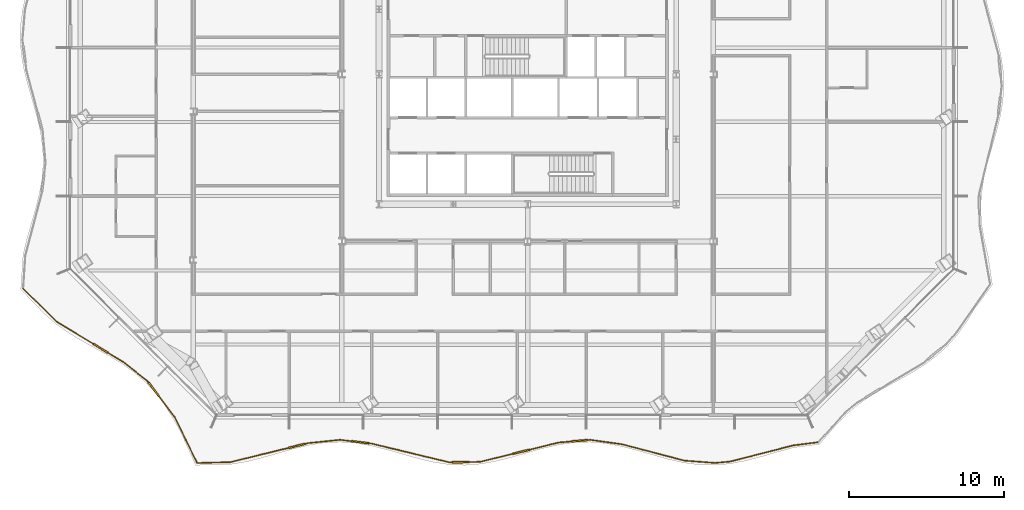
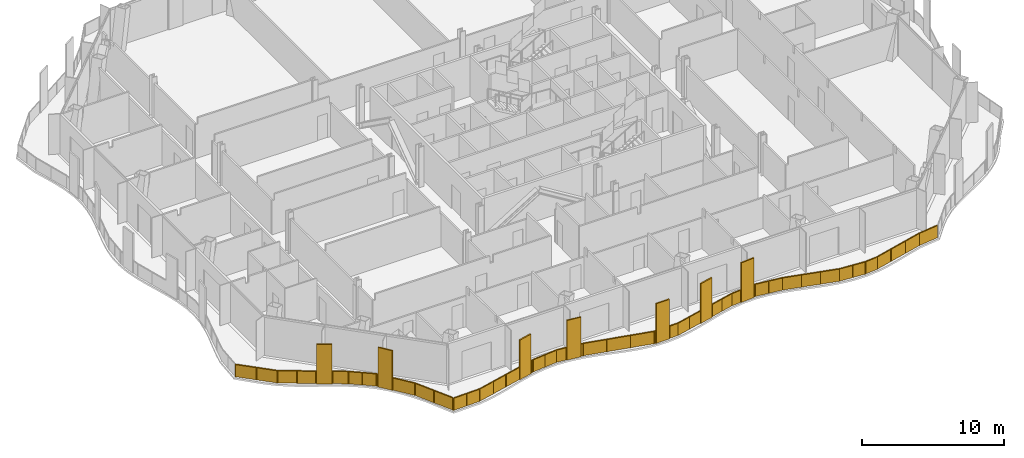
# One storey, part 14 of 21: 2 railings.
"""IFC4 building model written with IfcOpenShell, lengths in metres."""

from ifc_helpers import new_model, si_unit, direction, frame, origin, origin_2d, place, context, subcontext, project, spatial, polyline, rectangle, outline, extrude, material, type_object, element, save


model = new_model("IFC4")

# Units and contexts
model_context = context("Model", 3, precision=1e-05, world=origin(), true_north=direction((0.0, 1.0)))
body_context = subcontext(model_context, "Body", "Model", "MODEL_VIEW")
ifc_project = project(units=[si_unit("LENGTHUNIT", "METRE"), si_unit("AREAUNIT", "SQUARE_METRE"), si_unit("VOLUMEUNIT", "CUBIC_METRE"), si_unit("PLANEANGLEUNIT", "RADIAN"), si_unit("MASSUNIT", "GRAM", prefix="KILO")], contexts=[model_context])

# Site, building, storey
site_placement = place(None, origin())
site = spatial("IfcSite", under=ifc_project, at=site_placement, CompositionType="ELEMENT")
building_placement = place(site_placement, origin())
building = spatial("IfcBuilding", under=site, at=building_placement, Name="Cairn Pilgrim Tower", CompositionType="ELEMENT")
storey_placement = place(building_placement, frame((0.0, 0.0, 108.60009765625)))
storey = spatial("IfcBuildingStorey", under=building, at=storey_placement, Name="L26", CompositionType="ELEMENT", Elevation=108.60009765625)

# Railings
ifc_material = material(Name="Bronze anodised aluminium rail, posts and fin screens with laminated glass infill", Category="aluminium")
railing_type = type_object("IfcRailingType", Name="BALCONY GUARD WITH FIN SCREENS", PredefinedType="GUARDRAIL", material=ifc_material)
railing_1_placement = place(storey_placement, frame((-14.158447265625, -22.7197265625, 0.0)))
element("IfcRailing", 1, at=railing_1_placement, inside=storey, type_object=railing_type, Name="Balcony guard BGF-1 with fin screens", PredefinedType="GUARDRAIL", context=body_context, shape_type="SweptSolid", body=[
    extrude(rectangle(XDim=0.050048828125, YDim=0.050048828125, at=origin_2d()), frame((0.0, 0.0, 1.0751953125), z_axis=(0.99966797601, 0.025766989345, 0.0), x_axis=(-0.025766989345, 0.99966797601, 0.0)), (0.0, 0.0, 1.0), 2.141357421875),
    extrude(rectangle(XDim=1.10009765625, YDim=0.110107421875, at=origin_2d()), frame((6.436767578125, 1.10546875, 0.0), z_axis=(0.0, 0.0, 1.0), x_axis=(0.971392503069, 0.237479693828, 0.0)), (0.0, 0.0, 1.0), 3.39990234375),
    extrude(rectangle(XDim=0.050048828125, YDim=0.050048828125, at=origin_2d()), frame((2.140625, 0.05517578125, 1.0751953125), z_axis=(0.971392503069, 0.237479693828, 0.0), x_axis=(-0.237479693828, 0.971392503069, 0.0)), (0.0, 0.0, 1.0), 3.872802734375),
    extrude(rectangle(XDim=0.050048828125, YDim=0.050048828125, at=origin_2d()), frame((6.97119140625, 1.236083984375, 1.0751953125), z_axis=(0.971392503069, 0.237479693828, 0.0), x_axis=(-0.237479693828, 0.971392503069, 0.0)), (0.0, 0.0, 1.0), 0.222900390625),
    extrude(rectangle(XDim=0.050048828125, YDim=0.050048828125, at=origin_2d()), frame((7.187744140625, 1.2890625, 1.0751953125), z_axis=(0.994833164728, 0.101523270029, 0.0), x_axis=(-0.101523270029, 0.994833164728, 0.0)), (0.0, 0.0, 1.0), 2.05859375),
    extrude(rectangle(XDim=1.10009765625, YDim=0.110107421875, at=origin_2d()), frame((10.5400390625, 1.342041015625, 0.0), z_axis=(0.0, 0.0, 1.0), x_axis=(0.992930548641, -0.118696779974, 0.0)), (0.0, 0.0, 1.0), 3.39990234375),
    extrude(rectangle(XDim=0.050048828125, YDim=0.050048828125, at=origin_2d()), frame((9.235595703125, 1.498046875, 1.0751953125), z_axis=(0.992930548641, -0.118696779974, 0.0), x_axis=(0.118696779974, 0.992930548641, 0.0)), (0.0, 0.0, 1.0), 0.763916015625),
    extrude(rectangle(XDim=0.050048828125, YDim=0.050048828125, at=origin_2d()), frame((11.086181640625, 1.27685546875, 1.0751953125), z_axis=(0.992930548641, -0.118696779974, 0.0), x_axis=(0.118696779974, 0.992930548641, 0.0)), (0.0, 0.0, 1.0), 0.197021484375),
    extrude(rectangle(XDim=0.050048828125, YDim=0.050048828125, at=origin_2d()), frame((11.281982421875, 1.25341796875, 1.0751953125), z_axis=(0.972172837229, -0.234264753118, 0.0), x_axis=(0.234264753118, 0.972172837229, 0.0)), (0.0, 0.0, 1.0), 5.186767578125),
    extrude(rectangle(XDim=1.10009765625, YDim=0.110107421875, at=origin_2d()), frame((17.024169921875, 0.0517578125, 0.0), z_axis=(0.0, 0.0, 1.0), x_axis=(0.999818308782, 0.019061726674, 0.0)), (0.0, 0.0, 1.0), 3.39990234375),
    extrude(rectangle(XDim=0.050048828125, YDim=0.050048828125, at=origin_2d()), frame((16.324462890625, 0.038330078125, 1.0751953125), z_axis=(0.999818308782, 0.019061726674, 0.0), x_axis=(-0.019061726674, 0.999818308782, 0.0)), (0.0, 0.0, 1.0), 0.149658203125),
    extrude(rectangle(XDim=0.050048828125, YDim=0.050048828125, at=origin_2d()), frame((17.573974609375, 0.062255859375, 1.0751953125), z_axis=(0.999818308782, 0.019061726674, 0.0), x_axis=(-0.019061726674, 0.999818308782, 0.0)), (0.0, 0.0, 1.0), 0.735595703125),
    extrude(rectangle(XDim=1.10009765625, YDim=0.110107421875, at=origin_2d()), frame((20.935791015625, 0.724609375, 0.0), z_axis=(0.0, 0.0, 1.0), x_axis=(0.970856393536, 0.239661976814, 0.0)), (0.0, 0.0, 1.0), 3.39990234375),
    extrude(rectangle(XDim=0.050048828125, YDim=0.050048828125, at=origin_2d()), frame((18.309326171875, 0.076171875, 1.0751953125), z_axis=(0.970856393536, 0.239661976814, 0.0), x_axis=(-0.239661976814, 0.970856393536, 0.0)), (0.0, 0.0, 1.0), 2.1552734375),
    extrude(rectangle(XDim=0.050048828125, YDim=0.050048828125, at=origin_2d()), frame((21.4697265625, 0.8564453125, 1.0751953125), z_axis=(0.970856393536, 0.239661976814, 0.0), x_axis=(-0.239661976814, 0.970856393536, 0.0)), (0.0, 0.0, 1.0), 1.944091796875),
    extrude(rectangle(XDim=1.10009765625, YDim=0.110107421875, at=origin_2d()), frame((24.708984375, 1.43603515625, 0.0), z_axis=(0.0, 0.0, 1.0), x_axis=(0.9964816039, 0.083811771784, 0.0)), (0.0, 0.0, 1.0), 3.39990234375),
    extrude(rectangle(XDim=0.050048828125, YDim=0.050048828125, at=origin_2d()), frame((23.357177734375, 1.322265625, 1.0751953125), z_axis=(0.9964816039, 0.083811771784, 0.0), x_axis=(-0.083811771784, 0.9964816039, 0.0)), (0.0, 0.0, 1.0), 0.806640625),
    extrude(rectangle(XDim=0.050048828125, YDim=0.050048828125, at=origin_2d()), frame((25.257080078125, 1.482177734375, 1.0751953125), z_axis=(0.9964816039, 0.083811771784, 0.0), x_axis=(-0.083811771784, 0.9964816039, 0.0)), (0.0, 0.0, 1.0), 0.14990234375),
    extrude(rectangle(XDim=0.050048828125, YDim=0.050048828125, at=origin_2d()), frame((25.406494140625, 1.49462890625, 1.0751953125), z_axis=(0.990816497597, -0.135213416826, 0.0), x_axis=(0.135213416826, 0.990816497597, 0.0)), (0.0, 0.0, 1.0), 2.065673828125),
    extrude(rectangle(XDim=0.050048828125, YDim=0.050048828125, at=origin_2d()), frame((27.453125, 1.21533203125, 1.0751953125), z_axis=(0.967147976146, -0.254214067741, 0.0), x_axis=(0.254214067741, 0.967147976146, 0.0)), (0.0, 0.0, 1.0), 4.1748046875),
    extrude(rectangle(XDim=0.050048828125, YDim=0.050048828125, at=origin_2d()), frame((31.49072265625, 0.154052734375, 1.0751953125), z_axis=(0.997206133039, -0.074698917187, 0.0), x_axis=(0.074698917187, 0.997206133039, 0.0)), (0.0, 0.0, 1.0), 2.000244140625),
    extrude(rectangle(XDim=0.050048828125, YDim=0.050048828125, at=origin_2d()), frame((33.4853515625, 0.004638671875, 1.0751953125), z_axis=(0.995534161541, 0.094401976695, 0.0), x_axis=(-0.094401976695, 0.995534161541, 0.0)), (0.0, 0.0, 1.0), 0.990478515625),
    extrude(rectangle(XDim=0.050048828125, YDim=0.050048828125, at=origin_2d()), frame((34.471435546875, 0.09814453125, 1.0751953125), z_axis=(0.968647251905, 0.248440136405, 0.0), x_axis=(-0.248440136405, 0.968647251905, 0.0)), (0.0, 0.0, 1.0), 4.170654296875),
    extrude(rectangle(XDim=0.050048828125, YDim=0.050048828125, at=origin_2d()), frame((38.51123046875, 1.13427734375, 1.0751953125), z_axis=(0.991817830882, 0.127661232736, 0.0), x_axis=(-0.127661232736, 0.991817830882, 0.0)), (0.0, 0.0, 1.0), 1.598876953125),
    extrude(rectangle(XDim=0.050048828125, YDim=0.050048828125, at=origin_2d()), origin(), (0.0, 0.0, 1.0), 1.050048828125),
    extrude(rectangle(XDim=0.050048828125, YDim=0.050048828125, at=origin_2d()), frame((1.0703125, 0.027587890625, 0.0)), (0.0, 0.0, 1.0), 1.050048828125),
    extrude(rectangle(XDim=0.050048828125, YDim=0.050048828125, at=origin_2d()), frame((2.140625, 0.05517578125, 0.0)), (0.0, 0.0, 1.0), 1.050048828125),
    extrude(rectangle(XDim=0.050048828125, YDim=0.050048828125, at=origin_2d()), frame((3.386474609375, 0.35986328125, 0.0)), (0.0, 0.0, 1.0), 1.050048828125),
    extrude(rectangle(XDim=0.050048828125, YDim=0.050048828125, at=origin_2d()), frame((4.63232421875, 0.664306640625, 0.0)), (0.0, 0.0, 1.0), 1.050048828125),
    extrude(rectangle(XDim=0.050048828125, YDim=0.050048828125, at=origin_2d()), frame((5.878173828125, 0.968994140625, 0.0)), (0.0, 0.0, 1.0), 1.050048828125),
    extrude(rectangle(XDim=0.050048828125, YDim=0.050048828125, at=origin_2d()), frame((6.995361328125, 1.241943359375, 0.0)), (0.0, 0.0, 1.0), 1.050048828125),
    extrude(rectangle(XDim=0.050048828125, YDim=0.050048828125, at=origin_2d()), frame((7.187744140625, 1.2890625, 0.0)), (0.0, 0.0, 1.0), 1.050048828125),
    extrude(rectangle(XDim=0.050048828125, YDim=0.050048828125, at=origin_2d()), frame((8.211669921875, 1.3935546875, 0.0)), (0.0, 0.0, 1.0), 1.050048828125),
    extrude(rectangle(XDim=0.050048828125, YDim=0.050048828125, at=origin_2d()), frame((9.235595703125, 1.498046875, 0.0)), (0.0, 0.0, 1.0), 1.050048828125),
    extrude(rectangle(XDim=0.050048828125, YDim=0.050048828125, at=origin_2d()), frame((9.96923828125, 1.410400390625, 0.0)), (0.0, 0.0, 1.0), 1.050048828125),
    extrude(rectangle(XDim=0.050048828125, YDim=0.050048828125, at=origin_2d()), frame((11.111083984375, 1.27392578125, 0.0)), (0.0, 0.0, 1.0), 1.050048828125),
    extrude(rectangle(XDim=0.050048828125, YDim=0.050048828125, at=origin_2d()), frame((11.281982421875, 1.25341796875, 0.0)), (0.0, 0.0, 1.0), 1.050048828125),
    extrude(rectangle(XDim=0.050048828125, YDim=0.050048828125, at=origin_2d()), frame((12.962890625, 0.848388671875, 0.0)), (0.0, 0.0, 1.0), 1.050048828125),
    extrude(rectangle(XDim=0.050048828125, YDim=0.050048828125, at=origin_2d()), frame((14.6435546875, 0.443359375, 0.0)), (0.0, 0.0, 1.0), 1.050048828125),
    extrude(rectangle(XDim=0.050048828125, YDim=0.050048828125, at=origin_2d()), frame((16.324462890625, 0.038330078125, 0.0)), (0.0, 0.0, 1.0), 1.050048828125),
    extrude(rectangle(XDim=0.050048828125, YDim=0.050048828125, at=origin_2d()), frame((16.44921875, 0.040771484375, 0.0)), (0.0, 0.0, 1.0), 1.050048828125),
    extrude(rectangle(XDim=0.050048828125, YDim=0.050048828125, at=origin_2d()), frame((17.59912109375, 0.062744140625, 0.0)), (0.0, 0.0, 1.0), 1.050048828125),
    extrude(rectangle(XDim=0.050048828125, YDim=0.050048828125, at=origin_2d()), frame((18.309326171875, 0.076171875, 0.0)), (0.0, 0.0, 1.0), 1.050048828125),
    extrude(rectangle(XDim=0.050048828125, YDim=0.050048828125, at=origin_2d()), frame((19.343505859375, 0.33154296875, 0.0)), (0.0, 0.0, 1.0), 1.050048828125),
    extrude(rectangle(XDim=0.050048828125, YDim=0.050048828125, at=origin_2d()), frame((20.37744140625, 0.586669921875, 0.0)), (0.0, 0.0, 1.0), 1.050048828125),
    extrude(rectangle(XDim=0.050048828125, YDim=0.050048828125, at=origin_2d()), frame((21.493896484375, 0.8623046875, 0.0)), (0.0, 0.0, 1.0), 1.050048828125),
    extrude(rectangle(XDim=0.050048828125, YDim=0.050048828125, at=origin_2d()), frame((22.425537109375, 1.09228515625, 0.0)), (0.0, 0.0, 1.0), 1.050048828125),
    extrude(rectangle(XDim=0.050048828125, YDim=0.050048828125, at=origin_2d()), frame((23.357177734375, 1.322265625, 0.0)), (0.0, 0.0, 1.0), 1.050048828125),
    extrude(rectangle(XDim=0.050048828125, YDim=0.050048828125, at=origin_2d()), frame((24.135986328125, 1.3876953125, 0.0)), (0.0, 0.0, 1.0), 1.050048828125),
    extrude(rectangle(XDim=0.050048828125, YDim=0.050048828125, at=origin_2d()), frame((25.281982421875, 1.484130859375, 0.0)), (0.0, 0.0, 1.0), 1.050048828125),
    extrude(rectangle(XDim=0.050048828125, YDim=0.050048828125, at=origin_2d()), frame((25.406494140625, 1.49462890625, 0.0)), (0.0, 0.0, 1.0), 1.050048828125),
    extrude(rectangle(XDim=0.050048828125, YDim=0.050048828125, at=origin_2d()), frame((26.4296875, 1.35498046875, 0.0)), (0.0, 0.0, 1.0), 1.050048828125),
    extrude(rectangle(XDim=0.050048828125, YDim=0.050048828125, at=origin_2d()), frame((27.453125, 1.21533203125, 0.0)), (0.0, 0.0, 1.0), 1.050048828125),
    extrude(rectangle(XDim=0.050048828125, YDim=0.050048828125, at=origin_2d()), frame((28.799072265625, 0.861572265625, 0.0)), (0.0, 0.0, 1.0), 1.050048828125),
    extrude(rectangle(XDim=0.050048828125, YDim=0.050048828125, at=origin_2d()), frame((30.144775390625, 0.5078125, 0.0)), (0.0, 0.0, 1.0), 1.050048828125),
    extrude(rectangle(XDim=0.050048828125, YDim=0.050048828125, at=origin_2d()), frame((31.49072265625, 0.154052734375, 0.0)), (0.0, 0.0, 1.0), 1.050048828125),
    extrude(rectangle(XDim=0.050048828125, YDim=0.050048828125, at=origin_2d()), frame((32.488037109375, 0.079345703125, 0.0)), (0.0, 0.0, 1.0), 1.050048828125),
    extrude(rectangle(XDim=0.050048828125, YDim=0.050048828125, at=origin_2d()), frame((33.4853515625, 0.004638671875, 0.0)), (0.0, 0.0, 1.0), 1.050048828125),
    extrude(rectangle(XDim=0.050048828125, YDim=0.050048828125, at=origin_2d()), frame((34.471435546875, 0.09814453125, 0.0)), (0.0, 0.0, 1.0), 1.050048828125),
    extrude(rectangle(XDim=0.050048828125, YDim=0.050048828125, at=origin_2d()), frame((35.818115234375, 0.443603515625, 0.0)), (0.0, 0.0, 1.0), 1.050048828125),
    extrude(rectangle(XDim=0.050048828125, YDim=0.050048828125, at=origin_2d()), frame((37.16455078125, 0.788818359375, 0.0)), (0.0, 0.0, 1.0), 1.050048828125),
    extrude(rectangle(XDim=0.050048828125, YDim=0.050048828125, at=origin_2d()), frame((38.51123046875, 1.13427734375, 0.0)), (0.0, 0.0, 1.0), 1.050048828125),
    extrude(rectangle(XDim=0.050048828125, YDim=0.050048828125, at=origin_2d()), frame((40.096923828125, 1.33837890625, 0.0)), (0.0, 0.0, 1.0), 1.050048828125),
    extrude(outline(polyline([(0.02490234375, 0.0), (1.045654296875, 0.0), (1.045654296875, 1.050048828125), (0.02490234375, 1.050048828125), (0.02490234375, 0.0)])), frame((-0.000244140625, 0.005859375, 0.0), z_axis=(0.025766989345, -0.99966797601, 0.0), x_axis=(0.99966797601, 0.025766989345, 0.0)), (0.0, 0.0, 1.0), 0.011962890625),
    extrude(outline(polyline([(0.02490234375, 0.0), (1.045654296875, 0.0), (1.045654296875, 1.050048828125), (0.02490234375, 1.050048828125), (0.02490234375, 0.0)])), frame((1.070068359375, 0.033447265625, 0.0), z_axis=(0.025766989345, -0.99966797601, 0.0), x_axis=(0.99966797601, 0.025766989345, 0.0)), (0.0, 0.0, 1.0), 0.011962890625),
    extrude(outline(polyline([(0.02490234375, 0.0), (1.257568359375, 0.0), (1.257568359375, 1.050048828125), (0.02490234375, 1.050048828125), (0.02490234375, 0.0)])), frame((2.13916015625, 0.06103515625, 0.0), z_axis=(0.237479693828, -0.971392503069, 0.0), x_axis=(0.971392503069, 0.237479693828, 0.0)), (0.0, 0.0, 1.0), 0.011962890625),
    extrude(outline(polyline([(0.02490234375, 0.0), (1.257568359375, 0.0), (1.257568359375, 1.050048828125), (0.02490234375, 1.050048828125), (0.02490234375, 0.0)])), frame((3.385009765625, 0.365478515625, 0.0), z_axis=(0.237479693828, -0.971392503069, 0.0), x_axis=(0.971392503069, 0.237479693828, 0.0)), (0.0, 0.0, 1.0), 0.011962890625),
    extrude(outline(polyline([(0.02490234375, 0.0), (1.257568359375, 0.0), (1.257568359375, 1.050048828125), (0.02490234375, 1.050048828125), (0.02490234375, 0.0)])), frame((4.631103515625, 0.670166015625, 0.0), z_axis=(0.237479693828, -0.971392503069, 0.0), x_axis=(0.971392503069, 0.237479693828, 0.0)), (0.0, 0.0, 1.0), 0.011962890625),
    extrude(outline(polyline([(0.02490234375, 0.0), (0.1728515625, 0.0), (0.1728515625, 1.050048828125), (0.02490234375, 1.050048828125), (0.02490234375, 0.0)])), frame((6.994140625, 1.247802734375, 0.0), z_axis=(0.237479693828, -0.971392503069, 0.0), x_axis=(0.971392503069, 0.237479693828, 0.0)), (0.0, 0.0, 1.0), 0.011962890625),
    extrude(outline(polyline([(0.02490234375, 0.0), (1.004150390625, 0.0), (1.004150390625, 1.050048828125), (0.02490234375, 1.050048828125), (0.02490234375, 0.0)])), frame((7.187255859375, 1.294921875, 0.0), z_axis=(0.101523270029, -0.994833164728, 0.0), x_axis=(0.994833164728, 0.101523270029, 0.0)), (0.0, 0.0, 1.0), 0.011962890625),
    extrude(outline(polyline([(0.02490234375, 0.0), (1.004150390625, 0.0), (1.004150390625, 1.050048828125), (0.02490234375, 1.050048828125), (0.02490234375, 0.0)])), frame((8.211181640625, 1.3994140625, 0.0), z_axis=(0.101523270029, -0.994833164728, 0.0), x_axis=(0.994833164728, 0.101523270029, 0.0)), (0.0, 0.0, 1.0), 0.011962890625),
    extrude(outline(polyline([(0.02490234375, 0.0), (0.7138671875, 0.0), (0.7138671875, 1.050048828125), (0.02490234375, 1.050048828125), (0.02490234375, 0.0)])), frame((9.236328125, 1.50390625, 0.0), z_axis=(-0.118696779974, -0.992930548641, 0.0), x_axis=(0.992930548641, -0.118696779974, 0.0)), (0.0, 0.0, 1.0), 0.011962890625),
    extrude(outline(polyline([(0.02490234375, 0.0), (0.14697265625, 0.0), (0.14697265625, 1.050048828125), (0.02490234375, 1.050048828125), (0.02490234375, 0.0)])), frame((11.11181640625, 1.27978515625, 0.0), z_axis=(-0.118696779974, -0.992930548641, 0.0), x_axis=(0.992930548641, -0.118696779974, 0.0)), (0.0, 0.0, 1.0), 0.011962890625),
    extrude(outline(polyline([(0.02490234375, 0.0), (1.703857421875, 0.0), (1.703857421875, 1.050048828125), (0.02490234375, 1.050048828125), (0.02490234375, 0.0)])), frame((11.283447265625, 1.25927734375, 0.0), z_axis=(-0.234264753118, -0.972172837229, 0.0), x_axis=(0.972172837229, -0.234264753118, 0.0)), (0.0, 0.0, 1.0), 0.011962890625),
    extrude(outline(polyline([(0.02490234375, 0.0), (1.703857421875, 0.0), (1.703857421875, 1.050048828125), (0.02490234375, 1.050048828125), (0.02490234375, 0.0)])), frame((12.964111328125, 0.854248046875, 0.0), z_axis=(-0.234264753118, -0.972172837229, 0.0), x_axis=(0.972172837229, -0.234264753118, 0.0)), (0.0, 0.0, 1.0), 0.011962890625),
    extrude(outline(polyline([(0.02490234375, 0.0), (1.703857421875, 0.0), (1.703857421875, 1.050048828125), (0.02490234375, 1.050048828125), (0.02490234375, 0.0)])), frame((14.64501953125, 0.44921875, 0.0), z_axis=(-0.234264753118, -0.972172837229, 0.0), x_axis=(0.972172837229, -0.234264753118, 0.0)), (0.0, 0.0, 1.0), 0.011962890625),
    extrude(outline(polyline([(0.02490234375, 0.0), (0.099609375, 0.0), (0.099609375, 1.050048828125), (0.02490234375, 1.050048828125), (0.02490234375, 0.0)])), frame((16.324462890625, 0.044189453125, 0.0), z_axis=(0.019061726674, -0.999818308782, 0.0), x_axis=(0.999818308782, 0.019061726674, 0.0)), (0.0, 0.0, 1.0), 0.011962890625),
    extrude(outline(polyline([(0.02490234375, 0.0), (0.685546875, 0.0), (0.685546875, 1.050048828125), (0.02490234375, 1.050048828125), (0.02490234375, 0.0)])), frame((17.598876953125, 0.068603515625, 0.0), z_axis=(0.019061726674, -0.999818308782, 0.0), x_axis=(0.999818308782, 0.019061726674, 0.0)), (0.0, 0.0, 1.0), 0.011962890625),
    extrude(outline(polyline([(0.02490234375, 0.0), (1.0400390625, 0.0), (1.0400390625, 1.050048828125), (0.02490234375, 1.050048828125), (0.02490234375, 0.0)])), frame((18.307861328125, 0.08203125, 0.0), z_axis=(0.239661976814, -0.970856393536, 0.0), x_axis=(0.970856393536, 0.239661976814, 0.0)), (0.0, 0.0, 1.0), 0.011962890625),
    extrude(outline(polyline([(0.02490234375, 0.0), (1.0400390625, 0.0), (1.0400390625, 1.050048828125), (0.02490234375, 1.050048828125), (0.02490234375, 0.0)])), frame((19.342041015625, 0.337158203125, 0.0), z_axis=(0.239661976814, -0.970856393536, 0.0), x_axis=(0.970856393536, 0.239661976814, 0.0)), (0.0, 0.0, 1.0), 0.011962890625),
    extrude(outline(polyline([(0.02490234375, 0.0), (0.9345703125, 0.0), (0.9345703125, 1.050048828125), (0.02490234375, 1.050048828125), (0.02490234375, 0.0)])), frame((21.492431640625, 0.8681640625, 0.0), z_axis=(0.239661976814, -0.970856393536, 0.0), x_axis=(0.970856393536, 0.239661976814, 0.0)), (0.0, 0.0, 1.0), 0.011962890625),
    extrude(outline(polyline([(0.02490234375, 0.0), (0.9345703125, 0.0), (0.9345703125, 1.050048828125), (0.02490234375, 1.050048828125), (0.02490234375, 0.0)])), frame((22.424072265625, 1.09814453125, 0.0), z_axis=(0.239661976814, -0.970856393536, 0.0), x_axis=(0.970856393536, 0.239661976814, 0.0)), (0.0, 0.0, 1.0), 0.011962890625),
    extrude(outline(polyline([(0.02490234375, 0.0), (0.756591796875, 0.0), (0.756591796875, 1.050048828125), (0.02490234375, 1.050048828125), (0.02490234375, 0.0)])), frame((23.356689453125, 1.328125, 0.0), z_axis=(0.083811771784, -0.9964816039, 0.0), x_axis=(0.9964816039, 0.083811771784, 0.0)), (0.0, 0.0, 1.0), 0.011962890625),
    extrude(outline(polyline([(0.02490234375, 0.0), (0.099853515625, 0.0), (0.099853515625, 1.050048828125), (0.02490234375, 1.050048828125), (0.02490234375, 0.0)])), frame((25.281494140625, 1.490234375, 0.0), z_axis=(0.083811771784, -0.9964816039, 0.0), x_axis=(0.9964816039, 0.083811771784, 0.0)), (0.0, 0.0, 1.0), 0.011962890625),
    extrude(outline(polyline([(0.02490234375, 0.0), (1.0078125, 0.0), (1.0078125, 1.050048828125), (0.02490234375, 1.050048828125), (0.02490234375, 0.0)])), frame((25.4072265625, 1.50048828125, 0.0), z_axis=(-0.135213416826, -0.990816497597, 0.0), x_axis=(0.990816497597, -0.135213416826, 0.0)), (0.0, 0.0, 1.0), 0.011962890625),
    extrude(outline(polyline([(0.02490234375, 0.0), (1.0078125, 0.0), (1.0078125, 1.050048828125), (0.02490234375, 1.050048828125), (0.02490234375, 0.0)])), frame((26.4306640625, 1.36083984375, 0.0), z_axis=(-0.135213416826, -0.990816497597, 0.0), x_axis=(0.990816497597, -0.135213416826, 0.0)), (0.0, 0.0, 1.0), 0.011962890625),
    extrude(outline(polyline([(0.02490234375, 0.0), (1.366455078125, 0.0), (1.366455078125, 1.050048828125), (0.02490234375, 1.050048828125), (0.02490234375, 0.0)])), frame((27.45458984375, 1.22119140625, 0.0), z_axis=(-0.254214067741, -0.967147976146, 0.0), x_axis=(0.967147976146, -0.254214067741, 0.0)), (0.0, 0.0, 1.0), 0.011962890625),
    extrude(outline(polyline([(0.02490234375, 0.0), (1.366455078125, 0.0), (1.366455078125, 1.050048828125), (0.02490234375, 1.050048828125), (0.02490234375, 0.0)])), frame((28.800537109375, 0.867431640625, 0.0), z_axis=(-0.254214067741, -0.967147976146, 0.0), x_axis=(0.967147976146, -0.254214067741, 0.0)), (0.0, 0.0, 1.0), 0.011962890625),
    extrude(outline(polyline([(0.02490234375, 0.0), (1.366455078125, 0.0), (1.366455078125, 1.050048828125), (0.02490234375, 1.050048828125), (0.02490234375, 0.0)])), frame((30.146484375, 0.513671875, 0.0), z_axis=(-0.254214067741, -0.967147976146, 0.0), x_axis=(0.967147976146, -0.254214067741, 0.0)), (0.0, 0.0, 1.0), 0.011962890625),
    extrude(outline(polyline([(0.02490234375, 0.0), (0.97509765625, 0.0), (0.97509765625, 1.050048828125), (0.02490234375, 1.050048828125), (0.02490234375, 0.0)])), frame((31.4912109375, 0.159912109375, 0.0), z_axis=(-0.074698917187, -0.997206133039, 0.0), x_axis=(0.997206133039, -0.074698917187, 0.0)), (0.0, 0.0, 1.0), 0.011962890625),
    extrude(outline(polyline([(0.02490234375, 0.0), (0.97509765625, 0.0), (0.97509765625, 1.050048828125), (0.02490234375, 1.050048828125), (0.02490234375, 0.0)])), frame((32.488525390625, 0.085205078125, 0.0), z_axis=(-0.074698917187, -0.997206133039, 0.0), x_axis=(0.997206133039, -0.074698917187, 0.0)), (0.0, 0.0, 1.0), 0.011962890625),
    extrude(outline(polyline([(0.02490234375, 0.0), (0.965576171875, 0.0), (0.965576171875, 1.050048828125), (0.02490234375, 1.050048828125), (0.02490234375, 0.0)])), frame((33.48486328125, 0.010498046875, 0.0), z_axis=(0.094401976695, -0.995534161541, 0.0), x_axis=(0.995534161541, 0.094401976695, 0.0)), (0.0, 0.0, 1.0), 0.011962890625),
    extrude(outline(polyline([(0.02490234375, 0.0), (1.365234375, 0.0), (1.365234375, 1.050048828125), (0.02490234375, 1.050048828125), (0.02490234375, 0.0)])), frame((34.469970703125, 0.10400390625, 0.0), z_axis=(0.248440136405, -0.968647251905, 0.0), x_axis=(0.968647251905, 0.248440136405, 0.0)), (0.0, 0.0, 1.0), 0.011962890625),
    extrude(outline(polyline([(0.02490234375, 0.0), (1.365234375, 0.0), (1.365234375, 1.050048828125), (0.02490234375, 1.050048828125), (0.02490234375, 0.0)])), frame((35.816650390625, 0.44921875, 0.0), z_axis=(0.248440136404, -0.968647251905, 0.0), x_axis=(0.968647251905, 0.248440136404, 0.0)), (0.0, 0.0, 1.0), 0.011962890625),
    extrude(outline(polyline([(0.02490234375, 0.0), (1.365234375, 0.0), (1.365234375, 1.050048828125), (0.02490234375, 1.050048828125), (0.02490234375, 0.0)])), frame((37.1630859375, 0.794677734375, 0.0), z_axis=(0.248440136405, -0.968647251905, 0.0), x_axis=(0.968647251905, 0.248440136405, 0.0)), (0.0, 0.0, 1.0), 0.011962890625),
    extrude(outline(polyline([(0.02490234375, 0.0), (1.57373046875, 0.0), (1.57373046875, 1.050048828125), (0.02490234375, 1.050048828125), (0.02490234375, 0.0)])), frame((38.510498046875, 1.14013671875, 0.0), z_axis=(0.127661232736, -0.991817830882, 0.0), x_axis=(0.991817830882, 0.127661232736, 0.0)), (0.0, 0.0, 1.0), 0.011962890625),
])
railing_2_placement = place(storey_placement, frame((-25.41064453125, -11.4384765625, 0.0)))
element("IfcRailing", 2, at=railing_2_placement, inside=storey, type_object=railing_type, Name="Balcony guard BGF-8 with fin screens", PredefinedType="GUARDRAIL", context=body_context, shape_type="SweptSolid", body=[
    extrude(rectangle(XDim=0.050048828125, YDim=0.050048828125, at=origin_2d()), frame((0.0, 0.0, 1.0751953125), z_axis=(0.711968621612, -0.702211280057, 0.0), x_axis=(0.702211280057, 0.711968621612, 0.0)), (0.0, 0.0, 1.0), 3.07763671875),
    extrude(rectangle(XDim=1.10009765625, YDim=0.110107421875, at=origin_2d()), frame((5.0078125, -3.86181640625, 0.0), z_axis=(0.0, 0.0, 1.0), x_axis=(0.856046457288, -0.516898890466, 0.0)), (0.0, 0.0, 1.0), 3.39990234375),
    extrude(rectangle(XDim=0.050048828125, YDim=0.050048828125, at=origin_2d()), frame((2.191162109375, -2.1611328125, 1.0751953125), z_axis=(0.856046457288, -0.516898890466, 0.0), x_axis=(0.516898890466, 0.856046457288, 0.0)), (0.0, 0.0, 1.0), 2.740234375),
    extrude(rectangle(XDim=0.050048828125, YDim=0.050048828125, at=origin_2d()), frame((5.478515625, -4.146240234375, 1.0751953125), z_axis=(0.856046457288, -0.516898890466, 0.0), x_axis=(0.516898890466, 0.856046457288, 0.0)), (0.0, 0.0, 1.0), 1.1455078125),
    extrude(rectangle(XDim=0.050048828125, YDim=0.050048828125, at=origin_2d()), frame((6.459228515625, -4.73828125, 1.0751953125), z_axis=(0.787278865694, -0.616597103165, 0.0), x_axis=(0.616597103165, 0.787278865694, 0.0)), (0.0, 0.0, 1.0), 1.982421875),
    extrude(rectangle(XDim=1.10009765625, YDim=0.110107421875, at=origin_2d()), frame((8.443115234375, -6.518310546875, 0.0), z_axis=(0.0, 0.0, 1.0), x_axis=(0.604330715894, -0.796733572675, 0.0)), (0.0, 0.0, 1.0), 3.39990234375),
    extrude(rectangle(XDim=0.050048828125, YDim=0.050048828125, at=origin_2d()), frame((8.02001953125, -5.960693359375, 1.0751953125), z_axis=(0.604330715894, -0.796733572675, 0.0), x_axis=(0.796733572675, 0.604330715894, 0.0)), (0.0, 0.0, 1.0), 0.14990234375),
    extrude(rectangle(XDim=0.050048828125, YDim=0.050048828125, at=origin_2d()), frame((8.775390625, -6.95654296875, 1.0751953125), z_axis=(0.604330715894, -0.796733572675, 0.0), x_axis=(0.796733572675, 0.604330715894, 0.0)), (0.0, 0.0, 1.0), 1.720458984375),
    extrude(rectangle(XDim=0.050048828125, YDim=0.050048828125, at=origin_2d()), frame((9.815185546875, -8.327392578125, 1.0751953125), z_axis=(0.437497154121, -0.899219795232, 0.0), x_axis=(0.899219795232, 0.437497154121, 0.0)), (0.0, 0.0, 1.0), 3.224853515625),
    extrude(rectangle(XDim=0.050048828125, YDim=0.050048828125, at=origin_2d()), origin(), (0.0, 0.0, 1.0), 1.050048828125),
    extrude(rectangle(XDim=0.050048828125, YDim=0.050048828125, at=origin_2d()), frame((1.095703125, -1.08056640625, 0.0)), (0.0, 0.0, 1.0), 1.050048828125),
    extrude(rectangle(XDim=0.050048828125, YDim=0.050048828125, at=origin_2d()), frame((2.191162109375, -2.1611328125, 0.0)), (0.0, 0.0, 1.0), 1.050048828125),
    extrude(rectangle(XDim=0.050048828125, YDim=0.050048828125, at=origin_2d()), frame((3.353271484375, -2.86279296875, 0.0)), (0.0, 0.0, 1.0), 1.050048828125),
    extrude(rectangle(XDim=0.050048828125, YDim=0.050048828125, at=origin_2d()), frame((4.515625, -3.564697265625, 0.0)), (0.0, 0.0, 1.0), 1.050048828125),
    extrude(rectangle(XDim=0.050048828125, YDim=0.050048828125, at=origin_2d()), frame((5.5, -4.1591796875, 0.0)), (0.0, 0.0, 1.0), 1.050048828125),
    extrude(rectangle(XDim=0.050048828125, YDim=0.050048828125, at=origin_2d()), frame((6.459228515625, -4.73828125, 0.0)), (0.0, 0.0, 1.0), 1.050048828125),
    extrude(rectangle(XDim=0.050048828125, YDim=0.050048828125, at=origin_2d()), frame((7.23974609375, -5.349609375, 0.0)), (0.0, 0.0, 1.0), 1.050048828125),
    extrude(rectangle(XDim=0.050048828125, YDim=0.050048828125, at=origin_2d()), frame((8.02001953125, -5.960693359375, 0.0)), (0.0, 0.0, 1.0), 1.050048828125),
    extrude(rectangle(XDim=0.050048828125, YDim=0.050048828125, at=origin_2d()), frame((8.095458984375, -6.060302734375, 0.0)), (0.0, 0.0, 1.0), 1.050048828125),
    extrude(rectangle(XDim=0.050048828125, YDim=0.050048828125, at=origin_2d()), frame((8.79052734375, -6.9765625, 0.0)), (0.0, 0.0, 1.0), 1.050048828125),
    extrude(rectangle(XDim=0.050048828125, YDim=0.050048828125, at=origin_2d()), frame((9.815185546875, -8.327392578125, 0.0)), (0.0, 0.0, 1.0), 1.050048828125),
    extrude(rectangle(XDim=0.050048828125, YDim=0.050048828125, at=origin_2d()), frame((10.5205078125, -9.77734375, 0.0)), (0.0, 0.0, 1.0), 1.050048828125),
    extrude(rectangle(XDim=0.050048828125, YDim=0.050048828125, at=origin_2d()), frame((11.22607421875, -11.227294921875, 0.0)), (0.0, 0.0, 1.0), 1.050048828125),
    extrude(outline(polyline([(0.02490234375, 0.0), (1.513671875, 0.0), (1.513671875, 1.050048828125), (0.02490234375, 1.050048828125), (0.02490234375, 0.0)])), frame((0.004150390625, 0.004150390625, 0.0), z_axis=(-0.702211280057, -0.711968621612, 0.0), x_axis=(0.711968621612, -0.702211280057, 0.0)), (0.0, 0.0, 1.0), 0.011962890625),
    extrude(outline(polyline([(0.02490234375, 0.0), (1.513671875, 0.0), (1.513671875, 1.050048828125), (0.02490234375, 1.050048828125), (0.02490234375, 0.0)])), frame((1.099853515625, -1.076416015625, 0.0), z_axis=(-0.702211280057, -0.711968621612, 0.0), x_axis=(0.711968621612, -0.702211280057, 0.0)), (0.0, 0.0, 1.0), 0.011962890625),
    extrude(outline(polyline([(0.02490234375, 0.0), (1.33251953125, 0.0), (1.33251953125, 1.050048828125), (0.02490234375, 1.050048828125), (0.02490234375, 0.0)])), frame((2.1943359375, -2.156005859375, 0.0), z_axis=(-0.516898890466, -0.856046457288, 0.0), x_axis=(0.856046457288, -0.516898890466, 0.0)), (0.0, 0.0, 1.0), 0.011962890625),
    extrude(outline(polyline([(0.02490234375, 0.0), (1.33251953125, 0.0), (1.33251953125, 1.050048828125), (0.02490234375, 1.050048828125), (0.02490234375, 0.0)])), frame((3.3564453125, -2.857666015625, 0.0), z_axis=(-0.516898890466, -0.856046457288, 0.0), x_axis=(0.856046457288, -0.516898890466, 0.0)), (0.0, 0.0, 1.0), 0.011962890625),
    extrude(outline(polyline([(0.02490234375, 0.0), (1.095458984375, 0.0), (1.095458984375, 1.050048828125), (0.02490234375, 1.050048828125), (0.02490234375, 0.0)])), frame((5.503173828125, -4.154052734375, 0.0), z_axis=(-0.516898890466, -0.856046457288, 0.0), x_axis=(0.856046457288, -0.516898890466, 0.0)), (0.0, 0.0, 1.0), 0.011962890625),
    extrude(outline(polyline([(0.02490234375, 0.0), (0.96630859375, 0.0), (0.96630859375, 1.050048828125), (0.02490234375, 1.050048828125), (0.02490234375, 0.0)])), frame((6.462890625, -4.733642578125, 0.0), z_axis=(-0.616597103165, -0.787278865694, 0.0), x_axis=(0.787278865694, -0.616597103165, 0.0)), (0.0, 0.0, 1.0), 0.011962890625),
    extrude(outline(polyline([(0.02490234375, 0.0), (0.96630859375, 0.0), (0.96630859375, 1.050048828125), (0.02490234375, 1.050048828125), (0.02490234375, 0.0)])), frame((7.243408203125, -5.3447265625, 0.0), z_axis=(-0.616597103165, -0.787278865694, 0.0), x_axis=(0.787278865694, -0.616597103165, 0.0)), (0.0, 0.0, 1.0), 0.011962890625),
    extrude(outline(polyline([(0.02490234375, 0.0), (0.099853515625, 0.0), (0.099853515625, 1.050048828125), (0.02490234375, 1.050048828125), (0.02490234375, 0.0)])), frame((8.02490234375, -5.95703125, 0.0), z_axis=(-0.796733572675, -0.604330715894, 0.0), x_axis=(0.604330715894, -0.796733572675, 0.0)), (0.0, 0.0, 1.0), 0.011962890625),
    extrude(outline(polyline([(0.02490234375, 0.0), (1.67041015625, 0.0), (1.67041015625, 1.050048828125), (0.02490234375, 1.050048828125), (0.02490234375, 0.0)])), frame((8.79541015625, -6.972900390625, 0.0), z_axis=(-0.796733572675, -0.604330715894, 0.0), x_axis=(0.604330715894, -0.796733572675, 0.0)), (0.0, 0.0, 1.0), 0.011962890625),
    extrude(outline(polyline([(0.02490234375, 0.0), (1.58740234375, 0.0), (1.58740234375, 1.050048828125), (0.02490234375, 1.050048828125), (0.02490234375, 0.0)])), frame((9.820556640625, -8.32470703125, 0.0), z_axis=(-0.899219795232, -0.437497154121, 0.0), x_axis=(0.437497154121, -0.899219795232, 0.0)), (0.0, 0.0, 1.0), 0.011962890625),
    extrude(outline(polyline([(0.02490234375, 0.0), (1.58740234375, 0.0), (1.58740234375, 1.050048828125), (0.02490234375, 1.050048828125), (0.02490234375, 0.0)])), frame((10.526123046875, -9.774658203125, 0.0), z_axis=(-0.899219795232, -0.437497154121, 0.0), x_axis=(0.437497154121, -0.899219795232, 0.0)), (0.0, 0.0, 1.0), 0.011962890625),
])

save(model, "model.ifc")
